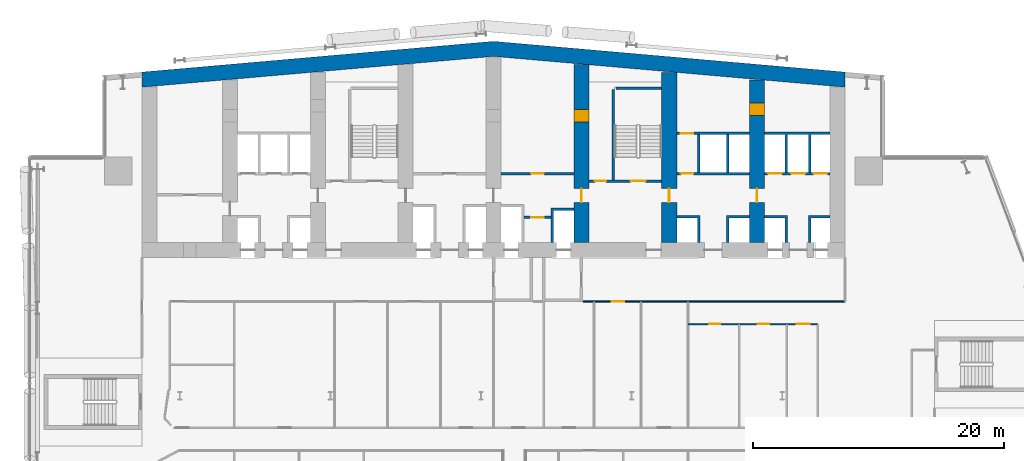
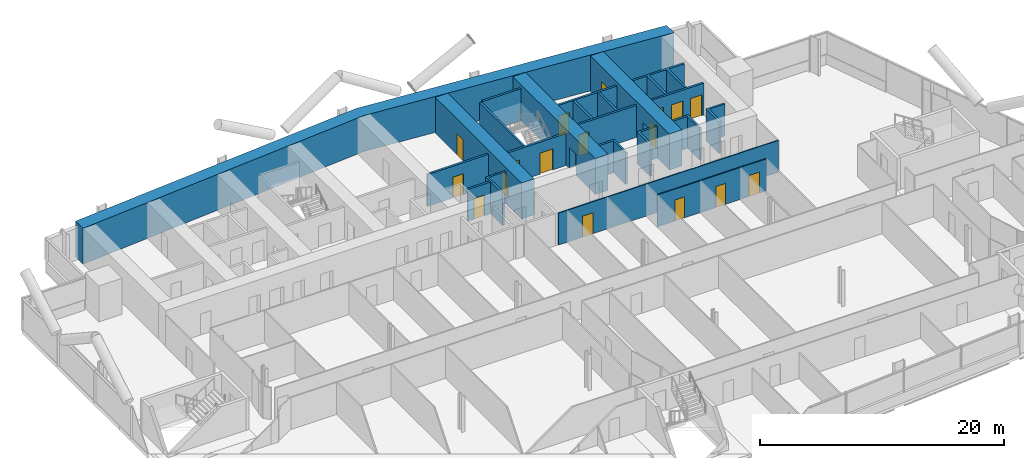
# One storey, part 18 of 27: 22 walls, 18 doors, 18 openings.
"""IFC4 building model written with IfcOpenShell, lengths in metres."""

from ifc_helpers import new_model, si_unit, direction, frame, frame_2d, origin, place, context, subcontext, project, spatial, polyline, rectangle, outline, extrude, material, layer, layer_set, type_object, element, fill, save


model = new_model("IFC4")

# Units and contexts
model_context = context("Model", 3, precision=1e-05, world=origin(), true_north=direction((0.0, 1.0)))
body_context = subcontext(model_context, "Body", "Model", "MODEL_VIEW")
ifc_project = project(units=[si_unit("LENGTHUNIT", "METRE"), si_unit("AREAUNIT", "SQUARE_METRE"), si_unit("VOLUMEUNIT", "CUBIC_METRE"), si_unit("PLANEANGLEUNIT", "RADIAN"), si_unit("MASSUNIT", "GRAM", prefix="KILO")], contexts=[model_context])

# Site, building, storey
site_placement = place(None, origin())
site = spatial("IfcSite", under=ifc_project, at=site_placement, CompositionType="ELEMENT")
building_placement = place(site_placement, origin())
building = spatial("IfcBuilding", under=site, at=building_placement, Name="Wharfspan Tower", CompositionType="ELEMENT")
storey_placement = place(building_placement, frame((0.0, 0.0, 55.899902)))
storey = spatial("IfcBuildingStorey", under=building, at=storey_placement, Name="L10", CompositionType="ELEMENT", Elevation=55.899902)

# Wall, opening, door
ifc_material_1 = material(Name="Gypsum board on steel studs", Category="steel")
ifc_layer_1 = layer(ifc_material_1, 0.100098)
ifc_layer_set_1 = layer_set([ifc_layer_1], Name="Gypsum board on steel studs")
wall_type_1 = type_object("IfcWallType", Name="Compartment wall 100 EI 60", PredefinedType="PARTITIONING", material=ifc_layer_set_1)
wall_1_placement = place(storey_placement, frame((44.149902, 30.5, 0.0), z_axis=(0.0, 0.0, 1.0), x_axis=(1.0, 0.0, 0.0)))
wall_1 = element("IfcWall", 1, at=wall_1_placement, inside=storey, type_object=wall_type_1, Name="Partition L10.w015 (3)", PredefinedType="PARTITIONING", context=body_context, shape_type="SweptSolid", body=[
    extrude(rectangle(XDim=20.850098, YDim=0.100098, at=frame_2d((10.425049, 0.0))), origin(), (0.0, 0.0, 1.0), 3.200195),
])
opening_1_placement = place(wall_1_placement, frame((2.27002, 0.0, 0.0)))
opening_1 = element("IfcOpeningElement", 2, at=opening_1_placement, cuts=wall_1, Name="Opening A2-39", PredefinedType="OPENING", context=body_context, shape_type="SweptSolid", body=[
    extrude(rectangle(XDim=1.0, YDim=2.100098, at=frame_2d((0.5, 1.050049))), frame((0.0, 0.060059, 0.0), z_axis=(0.0, -1.0, 0.0), x_axis=(1.0, 0.0, 0.0)), (0.0, 0.0, 1.0), 0.120117),
])
ifc_material_2 = material(Name="Fire-rated timber door leaf in steel frame", Category="steel")
door_type_1 = type_object("IfcDoorType", Name="Door 1000 FD30S Right", OperationType="SINGLE_SWING_RIGHT", PredefinedType="DOOR", material=ifc_material_2)
door_1_placement = place(opening_1_placement, origin())
door_1 = element("IfcDoor", 3, at=door_1_placement, inside=storey, type_object=door_type_1, Name="Door A2-39", OperationType="SINGLE_SWING_RIGHT", OverallHeight=2.100098, OverallWidth=1.0, PredefinedType="DOOR", context=body_context, shape_type="SweptSolid", body=[
    extrude(rectangle(XDim=1.0, YDim=2.100098, at=frame_2d((0.5, 1.050049))), frame((0.0, 0.024902, 0.0), z_axis=(0.0, -1.0, 0.0), x_axis=(1.0, 0.0, 0.0)), (0.0, 0.0, 1.0), 0.050049),
])
fill(opening_1, door_1)

ifc_material_3 = material(Name="Calcium silicate masonry", Category="masonry")
ifc_layer_2 = layer(ifc_material_3, 0.199951)
ifc_layer_set_2 = layer_set([ifc_layer_2], Name="Calcium silicate masonry")
wall_type_2 = type_object("IfcWallType", Name="Core room wall 200", PredefinedType="PARTITIONING", material=ifc_layer_set_2)
wall_2_placement = place(storey_placement, frame((39.43335, 37.199951, 0.0), z_axis=(0.0, 0.0, 1.0), x_axis=(1.0, 0.0, 0.0)))
wall_2 = element("IfcWall", 4, at=wall_2_placement, inside=storey, type_object=wall_type_2, Name="sw:L10:FR4.2", PredefinedType="PARTITIONING", context=body_context, shape_type="SweptSolid", body=[
    extrude(rectangle(XDim=2.133301, YDim=0.199951, at=frame_2d((1.06665, 0.0))), origin(), (0.0, 0.0, 1.0), 3.200195),
])
opening_2_placement = place(wall_2_placement, frame((0.56665, 0.0, 0.0)))
opening_2 = element("IfcOpeningElement", 5, at=opening_2_placement, cuts=wall_2, Name="Opening CD10.4H2", PredefinedType="OPENING", context=body_context, shape_type="SweptSolid", body=[
    extrude(rectangle(XDim=1.0, YDim=2.100098, at=frame_2d((0.5, 1.050049))), frame((0.0, 0.109863, 0.0), z_axis=(0.0, -1.0, 0.0), x_axis=(1.0, 0.0, 0.0)), (0.0, 0.0, 1.0), 0.219971),
])
ifc_material_4 = material(Name="Steel door leaf", Category="steel")
door_type_2 = type_object("IfcDoorType", Name="Core room door 1000x2100", OperationType="SINGLE_SWING_LEFT", PredefinedType="DOOR", material=ifc_material_4)
door_2_placement = place(opening_2_placement, origin())
door_2 = element("IfcDoor", 6, at=door_2_placement, inside=storey, type_object=door_type_2, Name="d:L10:4:fh4.2", OperationType="SINGLE_SWING_RIGHT", OverallHeight=2.100098, OverallWidth=1.0, PredefinedType="DOOR", context=body_context, shape_type="SweptSolid", body=[
    extrude(rectangle(XDim=1.0, YDim=2.100098, at=frame_2d((0.5, 1.050049))), frame((0.0, 0.024902, 0.0), z_axis=(0.0, -1.0, 0.0), x_axis=(1.0, 0.0, 0.0)), (0.0, 0.0, 1.0), 0.050049),
])
fill(opening_2, door_2)

# Wall
ifc_material_5 = material(Name="Concrete C70/85", Category="concrete")
ifc_layer_3 = layer(ifc_material_5, 1.199951)
ifc_layer_set_3 = layer_set([ifc_layer_3], Name="Concrete C70/85")
wall_type_3 = type_object("IfcWallType", Name="Core wall 1200 C70/85", PredefinedType="SHEAR", material=ifc_layer_set_3)
wall_3_placement = place(storey_placement, origin())
element("IfcWall", 7, at=wall_3_placement, inside=storey, type_object=wall_type_3, Name="Core rear wall L10", PredefinedType="SHEAR", context=body_context, shape_type="SweptSolid", body=[
    extrude(outline(polyline([(9.0, 47.582764), (37.0, 50.032471), (65.0, 47.582764), (65.0, 48.787354), (37.0, 51.237061), (9.0, 48.787354), (9.0, 47.582764)])), origin(), (0.0, 0.0, 1.0), 3.600098),
])

# Wall, openings, doors
wall_4_placement = place(storey_placement, frame((44.0, 35.199951, 0.0), z_axis=(0.0, 0.0, 1.0), x_axis=(0.0, 1.0, 0.0)))
wall_4 = element("IfcWall", 8, at=wall_4_placement, inside=storey, type_object=wall_type_3, Name="Core cross wall X5 L10", PredefinedType="SHEAR", context=body_context, shape_type="SweptSolid", body=[
    extrude(rectangle(XDim=14.167725, YDim=1.199951, at=frame_2d((7.083984, 0.0))), origin(), (0.0, 0.0, 1.0), 3.600098),
])
opening_3_placement = place(wall_4_placement, frame((3.199951, 0.0, 0.0)))
opening_3 = element("IfcOpeningElement", 9, at=opening_3_placement, cuts=wall_4, Name="Opening CC10.5", PredefinedType="OPENING", context=body_context, shape_type="SweptSolid", body=[
    extrude(rectangle(XDim=1.100098, YDim=2.100098, at=frame_2d((0.550049, 1.050049))), frame((0.0, 0.609863, 0.0), z_axis=(0.0, -1.0, 0.0), x_axis=(1.0, 0.0, 0.0)), (0.0, 0.0, 1.0), 1.219971),
])
opening_4_placement = place(wall_4_placement, frame((9.600098, 0.0, 0.0)))
opening_4 = element("IfcOpeningElement", 10, at=opening_4_placement, cuts=wall_4, Name="Opening CR10.5", PredefinedType="OPENING", context=body_context, shape_type="SweptSolid", body=[
    extrude(rectangle(XDim=1.0, YDim=2.100098, at=frame_2d((0.5, 1.050049))), frame((0.0, 0.609863, 0.0), z_axis=(0.0, -1.0, 0.0), x_axis=(1.0, 0.0, 0.0)), (0.0, 0.0, 1.0), 1.219971),
])
door_type_3 = type_object("IfcDoorType", Name="Core corridor door 1100x2100", OperationType="SINGLE_SWING_LEFT", PredefinedType="DOOR", material=ifc_material_4)
door_3_placement = place(opening_3_placement, origin())
door_3 = element("IfcDoor", 11, at=door_3_placement, inside=storey, type_object=door_type_3, Name="xd:L10:5", OperationType="SINGLE_SWING_LEFT", OverallHeight=2.100098, OverallWidth=1.100098, PredefinedType="DOOR", context=body_context, shape_type="SweptSolid", body=[
    extrude(rectangle(XDim=1.100098, YDim=2.100098, at=frame_2d((0.550049, 1.050049))), frame((0.0, 0.024902, 0.0), z_axis=(0.0, -1.0, 0.0), x_axis=(1.0, 0.0, 0.0)), (0.0, 0.0, 1.0), 0.050049),
])
fill(opening_3, door_3)
door_4_placement = place(opening_4_placement, origin())
door_4 = element("IfcDoor", 12, at=door_4_placement, inside=storey, type_object=door_type_2, Name="xr:L10:5", OperationType="SINGLE_SWING_RIGHT", OverallHeight=2.100098, OverallWidth=1.0, PredefinedType="DOOR", context=body_context, shape_type="SweptSolid", body=[
    extrude(rectangle(XDim=1.0, YDim=2.100098, at=frame_2d((0.5, 1.050049))), frame((0.0, 0.599609, 0.0), z_axis=(0.0, -1.0, 0.0), x_axis=(1.0, 0.0, 0.0)), (0.0, 0.0, 1.0), 1.199463),
])
fill(opening_4, door_4)

# Wall, opening, door
wall_5_placement = place(storey_placement, frame((51.0, 35.199951, 0.0), z_axis=(0.0, 0.0, 1.0), x_axis=(0.0, 1.0, 0.0)))
wall_5 = element("IfcWall", 13, at=wall_5_placement, inside=storey, type_object=wall_type_3, Name="Core cross wall X6 L10", PredefinedType="SHEAR", context=body_context, shape_type="SweptSolid", body=[
    extrude(rectangle(XDim=13.555176, YDim=1.199951, at=frame_2d((6.777588, 0.0))), origin(), (0.0, 0.0, 1.0), 3.600098),
])
opening_5_placement = place(wall_5_placement, frame((3.199951, 0.0, 0.0)))
opening_5 = element("IfcOpeningElement", 14, at=opening_5_placement, cuts=wall_5, Name="Opening CC10.6", PredefinedType="OPENING", context=body_context, shape_type="SweptSolid", body=[
    extrude(rectangle(XDim=1.100098, YDim=2.100098, at=frame_2d((0.550049, 1.050049))), frame((0.0, 0.609863, 0.0), z_axis=(0.0, -1.0, 0.0), x_axis=(1.0, 0.0, 0.0)), (0.0, 0.0, 1.0), 1.219971),
])
door_5_placement = place(opening_5_placement, origin())
door_5 = element("IfcDoor", 15, at=door_5_placement, inside=storey, type_object=door_type_3, Name="xd:L10:6", OperationType="SINGLE_SWING_RIGHT", OverallHeight=2.100098, OverallWidth=1.100098, PredefinedType="DOOR", context=body_context, shape_type="SweptSolid", body=[
    extrude(rectangle(XDim=1.100098, YDim=2.100098, at=frame_2d((0.550049, 1.050049))), frame((0.0, 0.024902, 0.0), z_axis=(0.0, -1.0, 0.0), x_axis=(1.0, 0.0, 0.0)), (0.0, 0.0, 1.0), 0.050049),
])
fill(opening_5, door_5)

# Wall, openings, doors
wall_6_placement = place(storey_placement, frame((58.0, 35.199951, 0.0), z_axis=(0.0, 0.0, 1.0), x_axis=(0.0, 1.0, 0.0)))
wall_6 = element("IfcWall", 16, at=wall_6_placement, inside=storey, type_object=wall_type_3, Name="Core cross wall X7 L10", PredefinedType="SHEAR", context=body_context, shape_type="SweptSolid", body=[
    extrude(rectangle(XDim=12.942871, YDim=1.199951, at=frame_2d((6.471436, 0.0))), origin(), (0.0, 0.0, 1.0), 3.600098),
])
opening_6_placement = place(wall_6_placement, frame((10.133789, 0.0, 0.0)))
opening_6 = element("IfcOpeningElement", 17, at=opening_6_placement, cuts=wall_6, Name="Opening CD10.7X", PredefinedType="OPENING", context=body_context, shape_type="SweptSolid", body=[
    extrude(rectangle(XDim=1.0, YDim=2.100098, at=frame_2d((0.5, 1.050049))), frame((0.0, 0.609863, 0.0), z_axis=(0.0, -1.0, 0.0), x_axis=(1.0, 0.0, 0.0)), (0.0, 0.0, 1.0), 1.219971),
])
opening_7_placement = place(wall_6_placement, frame((3.199951, 0.0, 0.0)))
opening_7 = element("IfcOpeningElement", 18, at=opening_7_placement, cuts=wall_6, Name="Opening CC10.7", PredefinedType="OPENING", context=body_context, shape_type="SweptSolid", body=[
    extrude(rectangle(XDim=1.100098, YDim=2.100098, at=frame_2d((0.550049, 1.050049))), frame((0.0, 0.609863, 0.0), z_axis=(0.0, -1.0, 0.0), x_axis=(1.0, 0.0, 0.0)), (0.0, 0.0, 1.0), 1.219971),
])
door_6_placement = place(opening_7_placement, origin())
door_6 = element("IfcDoor", 19, at=door_6_placement, inside=storey, type_object=door_type_3, Name="xd:L10:7", OperationType="SINGLE_SWING_LEFT", OverallHeight=2.100098, OverallWidth=1.100098, PredefinedType="DOOR", context=body_context, shape_type="SweptSolid", body=[
    extrude(rectangle(XDim=1.100098, YDim=2.100098, at=frame_2d((0.550049, 1.050049))), frame((0.0, 0.024902, 0.0), z_axis=(0.0, -1.0, 0.0), x_axis=(1.0, 0.0, 0.0)), (0.0, 0.0, 1.0), 0.050049),
])
fill(opening_7, door_6)
door_7_placement = place(opening_6_placement, origin())
door_7 = element("IfcDoor", 20, at=door_7_placement, inside=storey, type_object=door_type_2, Name="d:L10:7:sx", OperationType="SINGLE_SWING_LEFT", OverallHeight=2.100098, OverallWidth=1.0, PredefinedType="DOOR", context=body_context, shape_type="SweptSolid", body=[
    extrude(rectangle(XDim=1.0, YDim=2.100098, at=frame_2d((0.5, 1.050049))), frame((0.0, 0.599609, 0.0), z_axis=(0.0, -1.0, 0.0), x_axis=(1.0, 0.0, 0.0)), (0.0, 0.0, 1.0), 1.199463),
])
fill(opening_6, door_7)

# Wall, opening, door
ifc_material_6 = material(Name="Concrete C30/37", Category="concrete")
ifc_layer_4 = layer(ifc_material_6, 0.199951)
ifc_layer_set_4 = layer_set([ifc_layer_4], Name="Concrete C30/37")
wall_type_4 = type_object("IfcWallType", Name="Lift shaft wall 200", PredefinedType="PARTITIONING", material=ifc_layer_set_4)
wall_7_placement = place(storey_placement, frame((37.600098, 40.699951, 0.0), z_axis=(0.0, 0.0, 1.0), x_axis=(1.0, 0.0, 0.0)))
wall_7 = element("IfcWall", 21, at=wall_7_placement, inside=storey, type_object=wall_type_4, Name="sw:L10:RF4", PredefinedType="PARTITIONING", context=body_context, shape_type="SweptSolid", body=[
    extrude(rectangle(XDim=5.799805, YDim=0.199951, at=frame_2d((2.899902, 0.0))), origin(), (0.0, 0.0, 1.0), 3.200195),
])
opening_8_placement = place(wall_7_placement, frame((2.399902, 0.0, 0.0)))
opening_8 = element("IfcOpeningElement", 22, at=opening_8_placement, cuts=wall_7, Name="Opening CD10.4S", PredefinedType="OPENING", context=body_context, shape_type="SweptSolid", body=[
    extrude(rectangle(XDim=1.0, YDim=2.100098, at=frame_2d((0.5, 1.050049))), frame((0.0, 0.109863, 0.0), z_axis=(0.0, -1.0, 0.0), x_axis=(1.0, 0.0, 0.0)), (0.0, 0.0, 1.0), 0.219971),
])
door_8_placement = place(opening_8_placement, origin())
door_8 = element("IfcDoor", 23, at=door_8_placement, inside=storey, type_object=door_type_2, Name="d:L10:4:sf", OperationType="SINGLE_SWING_LEFT", OverallHeight=2.100098, OverallWidth=1.0, PredefinedType="DOOR", context=body_context, shape_type="SweptSolid", body=[
    extrude(rectangle(XDim=1.0, YDim=2.100098, at=frame_2d((0.5, 1.050049))), frame((0.0, 0.024902, 0.0), z_axis=(0.0, -1.0, 0.0), x_axis=(1.0, 0.0, 0.0)), (0.0, 0.0, 1.0), 0.050049),
])
fill(opening_8, door_8)

# Wall
wall_8_placement = place(storey_placement, origin())
element("IfcWall", 24, at=wall_8_placement, inside=storey, type_object=wall_type_4, Name="sw:L10:FM4.0", PredefinedType="PARTITIONING", context=body_context, shape_type="SweptSolid", body=[
    extrude(outline(polyline([(41.56665, 37.949951), (41.766602, 37.949951), (43.399902, 37.949951), (43.399902, 37.75), (41.766602, 37.75), (41.766602, 35.199951), (41.56665, 35.199951), (41.56665, 37.949951)])), origin(), (0.0, 0.0, 1.0), 3.200195),
])

# Wall, opening, door
wall_9_placement = place(storey_placement, frame((51.600098, 40.699951, 0.0), z_axis=(0.0, 0.0, 1.0), x_axis=(1.0, 0.0, 0.0)))
wall_9 = element("IfcWall", 25, at=wall_9_placement, inside=storey, type_object=wall_type_4, Name="sw:L10:RF6", PredefinedType="PARTITIONING", context=body_context, shape_type="SweptSolid", body=[
    extrude(rectangle(XDim=5.799805, YDim=0.199951, at=frame_2d((2.899902, 0.0))), origin(), (0.0, 0.0, 1.0), 3.200195),
])
opening_9_placement = place(wall_9_placement, frame((0.31665, 0.0, 0.0)))
opening_9 = element("IfcOpeningElement", 26, at=opening_9_placement, cuts=wall_9, Name="Opening CD10.6R1", PredefinedType="OPENING", context=body_context, shape_type="SweptSolid", body=[
    extrude(rectangle(XDim=1.0, YDim=2.100098, at=frame_2d((0.5, 1.050049))), frame((0.0, 0.109863, 0.0), z_axis=(0.0, -1.0, 0.0), x_axis=(1.0, 0.0, 0.0)), (0.0, 0.0, 1.0), 0.219971),
])
door_9_placement = place(opening_9_placement, origin())
door_9 = element("IfcDoor", 27, at=door_9_placement, inside=storey, type_object=door_type_2, Name="d:L10:6:rd6.1", OperationType="SINGLE_SWING_RIGHT", OverallHeight=2.100098, OverallWidth=1.0, PredefinedType="DOOR", context=body_context, shape_type="SweptSolid", body=[
    extrude(rectangle(XDim=1.0, YDim=2.100098, at=frame_2d((0.5, 1.050049))), frame((0.0, 0.024902, 0.0), z_axis=(0.0, -1.0, 0.0), x_axis=(1.0, 0.0, 0.0)), (0.0, 0.0, 1.0), 0.050049),
])
fill(opening_9, door_9)

wall_10_placement = place(storey_placement, frame((51.600098, 43.899902, 0.0), z_axis=(0.0, 0.0, 1.0), x_axis=(1.0, 0.0, 0.0)))
wall_10 = element("IfcWall", 28, at=wall_10_placement, inside=storey, type_object=wall_type_4, Name="sw:L10:RR6", PredefinedType="PARTITIONING", context=body_context, shape_type="SweptSolid", body=[
    extrude(rectangle(XDim=5.799805, YDim=0.199951, at=frame_2d((2.899902, 0.0))), origin(), (0.0, 0.0, 1.0), 3.200195),
])
opening_10_placement = place(wall_10_placement, frame((0.31665, 0.0, 0.0)))
opening_10 = element("IfcOpeningElement", 29, at=opening_10_placement, cuts=wall_10, Name="Opening CD10.6S1", PredefinedType="OPENING", context=body_context, shape_type="SweptSolid", body=[
    extrude(rectangle(XDim=1.0, YDim=2.100098, at=frame_2d((0.5, 1.050049))), frame((0.0, 0.109863, 0.0), z_axis=(0.0, -1.0, 0.0), x_axis=(1.0, 0.0, 0.0)), (0.0, 0.0, 1.0), 0.219971),
])
door_10_placement = place(opening_10_placement, origin())
door_10 = element("IfcDoor", 30, at=door_10_placement, inside=storey, type_object=door_type_2, Name="d:L10:6:rs6.1", OperationType="SINGLE_SWING_LEFT", OverallHeight=2.100098, OverallWidth=1.0, PredefinedType="DOOR", context=body_context, shape_type="SweptSolid", body=[
    extrude(rectangle(XDim=1.0, YDim=2.100098, at=frame_2d((0.5, 1.050049))), frame((0.0, 0.024902, 0.0), z_axis=(0.0, -1.0, 0.0), x_axis=(1.0, 0.0, 0.0)), (0.0, 0.0, 1.0), 0.050049),
])
fill(opening_10, door_10)

# Walls
wall_11_placement = place(storey_placement, origin())
element("IfcWall", 31, at=wall_11_placement, inside=storey, type_object=wall_type_4, Name="sw:L10:FM6.0", PredefinedType="PARTITIONING", context=body_context, shape_type="SweptSolid", body=[
    extrude(outline(polyline([(53.233398, 37.149902), (51.600098, 37.149902), (51.600098, 37.350098), (53.233398, 37.350098), (53.43335, 37.350098), (53.43335, 35.199951), (53.233398, 35.199951), (53.233398, 37.149902)])), origin(), (0.0, 0.0, 1.0), 3.200195),
])
wall_12_placement = place(storey_placement, origin())
element("IfcWall", 32, at=wall_12_placement, inside=storey, type_object=wall_type_4, Name="sw:L10:FM6.1", PredefinedType="PARTITIONING", context=body_context, shape_type="SweptSolid", body=[
    extrude(outline(polyline([(55.56665, 37.350098), (55.766602, 37.350098), (57.399902, 37.350098), (57.399902, 37.149902), (55.766602, 37.149902), (55.766602, 35.199951), (55.56665, 35.199951), (55.56665, 37.350098)])), origin(), (0.0, 0.0, 1.0), 3.200195),
])
wall_13_placement = place(storey_placement, origin())
element("IfcWall", 33, at=wall_13_placement, inside=storey, type_object=wall_type_4, Name="sw:L10:RM6.0", PredefinedType="PARTITIONING", context=body_context, shape_type="SweptSolid", body=[
    extrude(outline(polyline([(53.233398, 40.800049), (53.233398, 43.800049), (53.43335, 43.800049), (53.43335, 40.800049), (53.233398, 40.800049)])), origin(), (0.0, 0.0, 1.0), 3.200195),
])
wall_14_placement = place(storey_placement, origin())
element("IfcWall", 34, at=wall_14_placement, inside=storey, type_object=wall_type_4, Name="sw:L10:RM6.1", PredefinedType="PARTITIONING", context=body_context, shape_type="SweptSolid", body=[
    extrude(outline(polyline([(55.56665, 40.800049), (55.56665, 43.800049), (55.766602, 43.800049), (55.766602, 40.800049), (55.56665, 40.800049)])), origin(), (0.0, 0.0, 1.0), 3.200195),
])

# Wall, openings, doors
wall_15_placement = place(storey_placement, frame((58.600098, 40.699951, 0.0), z_axis=(0.0, 0.0, 1.0), x_axis=(1.0, 0.0, 0.0)))
wall_15 = element("IfcWall", 35, at=wall_15_placement, inside=storey, type_object=wall_type_4, Name="sw:L10:RF7", PredefinedType="PARTITIONING", context=body_context, shape_type="SweptSolid", body=[
    extrude(rectangle(XDim=5.199951, YDim=0.199951, at=frame_2d((2.600098, 0.0))), origin(), (0.0, 0.0, 1.0), 3.200195),
])
opening_11_placement = place(wall_15_placement, frame((0.266602, 0.0, 0.0)))
opening_11 = element("IfcOpeningElement", 36, at=opening_11_placement, cuts=wall_15, Name="Opening LD.LA8.L10", PredefinedType="OPENING", context=body_context, shape_type="SweptSolid", body=[
    extrude(rectangle(XDim=1.100098, YDim=2.100098, at=frame_2d((0.550049, 1.050049))), frame((0.0, 0.109863, 0.0), z_axis=(0.0, -1.0, 0.0), x_axis=(1.0, 0.0, 0.0)), (0.0, 0.0, 1.0), 0.219971),
])
opening_12_placement = place(wall_15_placement, frame((2.116699, 0.0, 0.0)))
opening_12 = element("IfcOpeningElement", 37, at=opening_12_placement, cuts=wall_15, Name="Opening LD.LA9.L10", PredefinedType="OPENING", context=body_context, shape_type="SweptSolid", body=[
    extrude(rectangle(XDim=1.100098, YDim=2.100098, at=frame_2d((0.550049, 1.050049))), frame((0.0, 0.109863, 0.0), z_axis=(0.0, -1.0, 0.0), x_axis=(1.0, 0.0, 0.0)), (0.0, 0.0, 1.0), 0.219971),
])
opening_13_placement = place(wall_15_placement, frame((3.899902, 0.0, 0.0)))
opening_13 = element("IfcOpeningElement", 38, at=opening_13_placement, cuts=wall_15, Name="Opening LD.LA10.L10", PredefinedType="OPENING", context=body_context, shape_type="SweptSolid", body=[
    extrude(rectangle(XDim=1.100098, YDim=2.100098, at=frame_2d((0.550049, 1.050049))), frame((0.0, 0.109863, 0.0), z_axis=(0.0, -1.0, 0.0), x_axis=(1.0, 0.0, 0.0)), (0.0, 0.0, 1.0), 0.219971),
])
ifc_material_7 = material(Name="Stainless steel", Category="steel")
door_type_4 = type_object("IfcDoorType", Name="Lift landing door 1100x2100", OperationType="DOUBLE_DOOR_SLIDING", PredefinedType="DOOR", material=ifc_material_7)
door_11_placement = place(opening_11_placement, origin())
door_11 = element("IfcDoor", 39, at=door_11_placement, inside=storey, type_object=door_type_4, Name="Landing door LA8 L10", OperationType="DOUBLE_DOOR_SLIDING", OverallHeight=2.100098, OverallWidth=1.100098, PredefinedType="DOOR", context=body_context, shape_type="SweptSolid", body=[
    extrude(rectangle(XDim=1.100098, YDim=2.100098, at=frame_2d((0.550049, 1.050049))), frame((0.0, 0.024902, 0.0), z_axis=(0.0, -1.0, 0.0), x_axis=(1.0, 0.0, 0.0)), (0.0, 0.0, 1.0), 0.050049),
])
fill(opening_11, door_11)
door_12_placement = place(opening_12_placement, origin())
door_12 = element("IfcDoor", 40, at=door_12_placement, inside=storey, type_object=door_type_4, Name="Landing door LA9 L10", OperationType="DOUBLE_DOOR_SLIDING", OverallHeight=2.100098, OverallWidth=1.100098, PredefinedType="DOOR", context=body_context, shape_type="SweptSolid", body=[
    extrude(rectangle(XDim=1.100098, YDim=2.100098, at=frame_2d((0.550049, 1.050049))), frame((0.0, 0.024902, 0.0), z_axis=(0.0, -1.0, 0.0), x_axis=(1.0, 0.0, 0.0)), (0.0, 0.0, 1.0), 0.050049),
])
fill(opening_12, door_12)
door_13_placement = place(opening_13_placement, origin())
door_13 = element("IfcDoor", 41, at=door_13_placement, inside=storey, type_object=door_type_4, Name="Landing door LA10 L10", OperationType="DOUBLE_DOOR_SLIDING", OverallHeight=2.100098, OverallWidth=1.100098, PredefinedType="DOOR", context=body_context, shape_type="SweptSolid", body=[
    extrude(rectangle(XDim=1.100098, YDim=2.100098, at=frame_2d((0.550049, 1.050049))), frame((0.0, 0.024902, 0.0), z_axis=(0.0, -1.0, 0.0), x_axis=(1.0, 0.0, 0.0)), (0.0, 0.0, 1.0), 0.050049),
])
fill(opening_13, door_13)

# Walls
wall_16_placement = place(storey_placement, origin())
element("IfcWall", 42, at=wall_16_placement, inside=storey, type_object=wall_type_4, Name="sw:L10:FM7.0", PredefinedType="PARTITIONING", context=body_context, shape_type="SweptSolid", body=[
    extrude(outline(polyline([(60.233398, 37.149902), (58.600098, 37.149902), (58.600098, 37.350098), (60.233398, 37.350098), (60.43335, 37.350098), (60.43335, 35.199951), (60.233398, 35.199951), (60.233398, 37.149902)])), origin(), (0.0, 0.0, 1.0), 3.200195),
])
wall_17_placement = place(storey_placement, origin())
element("IfcWall", 43, at=wall_17_placement, inside=storey, type_object=wall_type_4, Name="sw:L10:FM7.1", PredefinedType="PARTITIONING", context=body_context, shape_type="SweptSolid", body=[
    extrude(outline(polyline([(62.100098, 37.350098), (62.300049, 37.350098), (63.800049, 37.350098), (63.800049, 37.149902), (62.300049, 37.149902), (62.300049, 35.199951), (62.100098, 35.199951), (62.100098, 37.350098)])), origin(), (0.0, 0.0, 1.0), 3.200195),
])
wall_18_placement = place(storey_placement, origin())
element("IfcWall", 44, at=wall_18_placement, inside=storey, type_object=wall_type_4, Name="sw:L10:RM7.0", PredefinedType="PARTITIONING", context=body_context, shape_type="SweptSolid", body=[
    extrude(outline(polyline([(60.43335, 40.800049), (60.233398, 40.800049), (60.233398, 43.800049), (58.600098, 43.800049), (58.600098, 44.0), (63.800049, 44.0), (63.800049, 43.800049), (62.300049, 43.800049), (62.300049, 40.800049), (62.100098, 40.800049), (62.100098, 43.800049), (60.43335, 43.800049), (60.43335, 40.800049)])), origin(), (0.0, 0.0, 1.0), 3.200195),
])

# Wall, openings, doors
ifc_layer_5 = layer(ifc_material_1, 0.100098)
ifc_layer_set_5 = layer_set([ifc_layer_5], Name="Gypsum board on steel studs")
wall_type_5 = type_object("IfcWallType", Name="Partition 100", PredefinedType="PARTITIONING", material=ifc_layer_set_5)
wall_19_placement = place(storey_placement, frame((52.5, 28.699951, 0.0), z_axis=(0.0, 0.0, 1.0), x_axis=(1.0, 0.0, 0.0)))
wall_19 = element("IfcWall", 45, at=wall_19_placement, inside=storey, type_object=wall_type_5, Name="Partition L10.w053", PredefinedType="PARTITIONING", context=body_context, shape_type="SweptSolid", body=[
    extrude(rectangle(XDim=10.334961, YDim=0.100098, at=frame_2d((5.16748, 0.0))), origin(), (0.0, 0.0, 1.0), 3.200195),
])
opening_14_placement = place(wall_19_placement, frame((1.669922, 0.0, 0.0)))
opening_14 = element("IfcOpeningElement", 46, at=opening_14_placement, cuts=wall_19, Name="Opening A2-32", PredefinedType="OPENING", context=body_context, shape_type="SweptSolid", body=[
    extrude(rectangle(XDim=0.899902, YDim=2.100098, at=frame_2d((0.449951, 1.050049))), frame((0.0, 0.060059, 0.0), z_axis=(0.0, -1.0, 0.0), x_axis=(1.0, 0.0, 0.0)), (0.0, 0.0, 1.0), 0.120117),
])
opening_15_placement = place(wall_19_placement, frame((5.554932, 0.0, 0.0)))
opening_15 = element("IfcOpeningElement", 47, at=opening_15_placement, cuts=wall_19, Name="Opening A2-33", PredefinedType="OPENING", context=body_context, shape_type="SweptSolid", body=[
    extrude(rectangle(XDim=0.899902, YDim=2.100098, at=frame_2d((0.449951, 1.050049))), frame((0.0, 0.060059, 0.0), z_axis=(0.0, -1.0, 0.0), x_axis=(1.0, 0.0, 0.0)), (0.0, 0.0, 1.0), 0.120117),
])
opening_16_placement = place(wall_19_placement, frame((8.675049, 0.0, 0.0)))
opening_16 = element("IfcOpeningElement", 48, at=opening_16_placement, cuts=wall_19, Name="Opening A2-34", PredefinedType="OPENING", context=body_context, shape_type="SweptSolid", body=[
    extrude(rectangle(XDim=1.0, YDim=2.100098, at=frame_2d((0.5, 1.050049))), frame((0.0, 0.060059, 0.0), z_axis=(0.0, -1.0, 0.0), x_axis=(1.0, 0.0, 0.0)), (0.0, 0.0, 1.0), 0.120117),
])
ifc_material_8 = material(Name="Timber door leaf in steel frame", Category="steel")
door_type_5 = type_object("IfcDoorType", Name="Door 1000 NOT RATED Right", OperationType="SINGLE_SWING_RIGHT", PredefinedType="DOOR", material=ifc_material_8)
door_14_placement = place(opening_16_placement, origin())
door_14 = element("IfcDoor", 49, at=door_14_placement, inside=storey, type_object=door_type_5, Name="Door A2-34", OperationType="SINGLE_SWING_RIGHT", OverallHeight=2.100098, OverallWidth=1.0, PredefinedType="DOOR", context=body_context, shape_type="SweptSolid", body=[
    extrude(rectangle(XDim=1.0, YDim=2.100098, at=frame_2d((0.5, 1.050049))), frame((0.0, 0.024902, 0.0), z_axis=(0.0, -1.0, 0.0), x_axis=(1.0, 0.0, 0.0)), (0.0, 0.0, 1.0), 0.050049),
])
fill(opening_16, door_14)
door_type_6 = type_object("IfcDoorType", Name="Door 900 NOT RATED Left", OperationType="SINGLE_SWING_LEFT", PredefinedType="DOOR", material=ifc_material_8)
door_15_placement = place(opening_14_placement, origin())
door_15 = element("IfcDoor", 50, at=door_15_placement, inside=storey, type_object=door_type_6, Name="Door A2-32", OperationType="SINGLE_SWING_LEFT", OverallHeight=2.100098, OverallWidth=0.899902, PredefinedType="DOOR", context=body_context, shape_type="SweptSolid", body=[
    extrude(rectangle(XDim=0.899902, YDim=2.100098, at=frame_2d((0.449951, 1.050049))), frame((0.0, 0.024902, 0.0), z_axis=(0.0, -1.0, 0.0), x_axis=(1.0, 0.0, 0.0)), (0.0, 0.0, 1.0), 0.050049),
])
fill(opening_14, door_15)
door_type_7 = type_object("IfcDoorType", Name="Door 900 NOT RATED Right", OperationType="SINGLE_SWING_RIGHT", PredefinedType="DOOR", material=ifc_material_8)
door_16_placement = place(opening_15_placement, origin())
door_16 = element("IfcDoor", 51, at=door_16_placement, inside=storey, type_object=door_type_7, Name="Door A2-33", OperationType="SINGLE_SWING_RIGHT", OverallHeight=2.100098, OverallWidth=0.899902, PredefinedType="DOOR", context=body_context, shape_type="SweptSolid", body=[
    extrude(rectangle(XDim=0.899902, YDim=2.100098, at=frame_2d((0.449951, 1.050049))), frame((0.0, 0.024902, 0.0), z_axis=(0.0, -1.0, 0.0), x_axis=(1.0, 0.0, 0.0)), (0.0, 0.0, 1.0), 0.050049),
])
fill(opening_15, door_16)

ifc_material_9 = material(Name="Concrete C40/50", Category="concrete")
ifc_layer_6 = layer(ifc_material_9, 0.199951)
ifc_layer_set_6 = layer_set([ifc_layer_6], Name="Concrete C40/50")
wall_type_6 = type_object("IfcWallType", Name="Stair shaft wall 200", PredefinedType="SHEAR", material=ifc_layer_set_6)
wall_20_placement = place(storey_placement, frame((44.600098, 40.100098, 0.0), z_axis=(0.0, 0.0, 1.0), x_axis=(1.0, 0.0, 0.0)))
wall_20 = element("IfcWall", 52, at=wall_20_placement, inside=storey, type_object=wall_type_6, Name="ST2 stair enclosure wall L10", PredefinedType="SHEAR", context=body_context, shape_type="SweptSolid", body=[
    extrude(rectangle(XDim=5.799805, YDim=0.199951, at=frame_2d((2.899902, 0.0))), origin(), (0.0, 0.0, 1.0), 3.200195),
])
opening_17_placement = place(wall_20_placement, frame((3.324951, 0.0, 0.0)))
opening_17 = element("IfcOpeningElement", 53, at=opening_17_placement, cuts=wall_20, Name="Opening SD5.L10", PredefinedType="OPENING", context=body_context, shape_type="SweptSolid", body=[
    extrude(rectangle(XDim=1.199951, YDim=2.100098, at=frame_2d((0.600098, 1.050049))), frame((0.0, 0.109863, 0.0), z_axis=(0.0, -1.0, 0.0), x_axis=(1.0, 0.0, 0.0)), (0.0, 0.0, 1.0), 0.219971),
])
opening_18_placement = place(wall_20_placement, frame((0.475098, 0.0, 0.0)))
opening_18 = element("IfcOpeningElement", 54, at=opening_18_placement, cuts=wall_20, Name="Opening CD10.5R", PredefinedType="OPENING", context=body_context, shape_type="SweptSolid", body=[
    extrude(rectangle(XDim=0.899902, YDim=2.100098, at=frame_2d((0.449951, 1.050049))), frame((0.0, 0.109863, 0.0), z_axis=(0.0, -1.0, 0.0), x_axis=(1.0, 0.0, 0.0)), (0.0, 0.0, 1.0), 0.219971),
])
door_17_placement = place(opening_18_placement, origin())
door_17 = element("IfcDoor", 55, at=door_17_placement, inside=storey, type_object=door_type_2, Name="rk:L10:5", OperationType="SINGLE_SWING_LEFT", OverallHeight=2.100098, OverallWidth=0.899902, PredefinedType="DOOR", context=body_context, shape_type="SweptSolid", body=[
    extrude(rectangle(XDim=0.899902, YDim=2.100098, at=frame_2d((0.449951, 1.050049))), frame((0.0, 0.024902, 0.0), z_axis=(0.0, -1.0, 0.0), x_axis=(1.0, 0.0, 0.0)), (0.0, 0.0, 1.0), 0.050049),
])
fill(opening_18, door_17)
door_type_8 = type_object("IfcDoorType", Name="Stair door 1200x2100", OperationType="SINGLE_SWING_LEFT", PredefinedType="DOOR", material=ifc_material_4)
door_18_placement = place(opening_17_placement, origin())
door_18 = element("IfcDoor", 56, at=door_18_placement, inside=storey, type_object=door_type_8, Name="sd:L10:5", OperationType="SINGLE_SWING_RIGHT", OverallHeight=2.100098, OverallWidth=1.199951, PredefinedType="DOOR", context=body_context, shape_type="SweptSolid", body=[
    extrude(rectangle(XDim=1.199951, YDim=2.100098, at=frame_2d((0.600098, 1.050049))), frame((0.0, 0.024902, 0.0), z_axis=(0.0, -1.0, 0.0), x_axis=(1.0, 0.0, 0.0)), (0.0, 0.0, 1.0), 0.050049),
])
fill(opening_17, door_18)

# Walls
wall_21_placement = place(storey_placement, frame((46.550049, 40.199951, 0.0), z_axis=(0.0, 0.0, 1.0), x_axis=(0.0, 1.0, 0.0)))
element("IfcWall", 57, at=wall_21_placement, inside=storey, type_object=wall_type_6, Name="ST2 stair enclosure wall L10", PredefinedType="SHEAR", context=body_context, shape_type="SweptSolid", body=[
    extrude(rectangle(XDim=7.199951, YDim=0.199951, at=frame_2d((3.600098, 0.0))), origin(), (0.0, 0.0, 1.0), 3.200195),
])
wall_22_placement = place(storey_placement, frame((46.75, 47.5, 0.0), z_axis=(0.0, 0.0, 1.0), x_axis=(1.0, 0.0, 0.0)))
element("IfcWall", 58, at=wall_22_placement, inside=storey, type_object=wall_type_6, Name="ST2 stair enclosure wall L10", PredefinedType="SHEAR", context=body_context, shape_type="SweptSolid", body=[
    extrude(rectangle(XDim=3.649902, YDim=0.199951, at=frame_2d((1.824951, 0.0))), origin(), (0.0, 0.0, 1.0), 3.200195),
])

save(model, "model.ifc")
